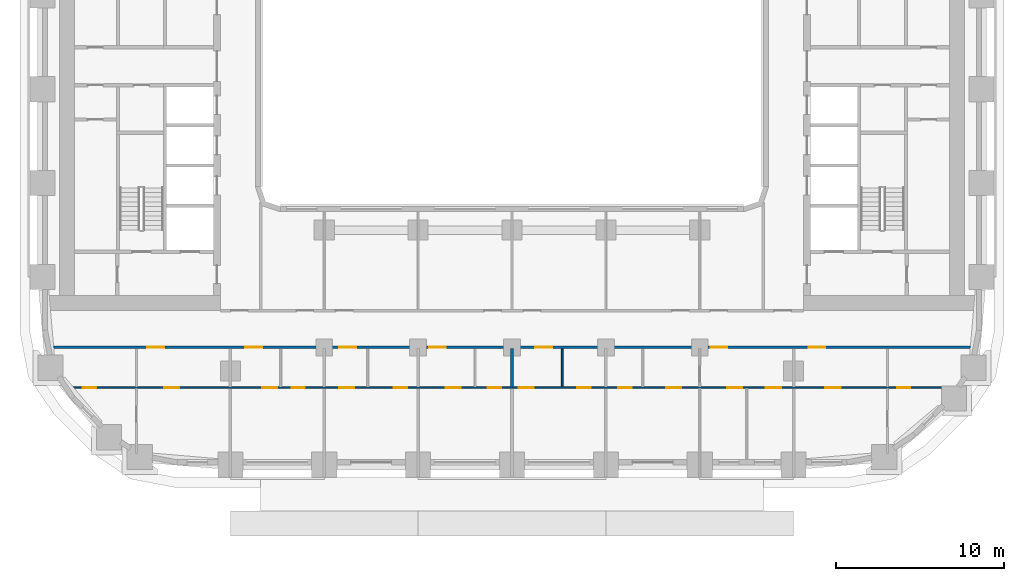
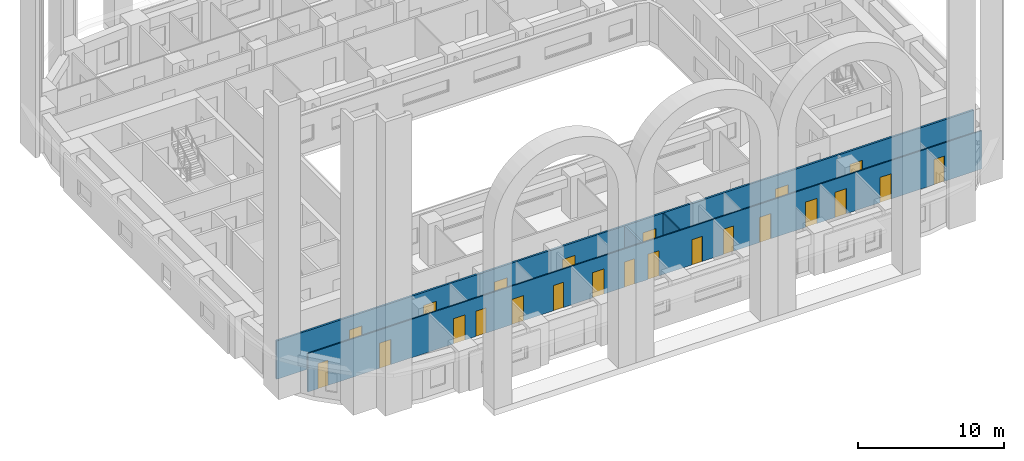
# One storey, part 3 of 21: 23 doors, 4 walls, 23 openings.
"""IFC4 building model written with IfcOpenShell, lengths in metres."""

from ifc_helpers import new_model, si_unit, direction, frame, frame_2d, origin, place, context, subcontext, project, spatial, rectangle, extrude, material, layer, layer_set, type_object, element, fill, save


model = new_model("IFC4")

# Units and contexts
model_context = context("Model", 3, precision=1e-05, world=origin(), true_north=direction((0.0, 1.0)))
body_context = subcontext(model_context, "Body", "Model", "MODEL_VIEW")
ifc_project = project(units=[si_unit("LENGTHUNIT", "METRE"), si_unit("AREAUNIT", "SQUARE_METRE"), si_unit("VOLUMEUNIT", "CUBIC_METRE"), si_unit("PLANEANGLEUNIT", "RADIAN"), si_unit("MASSUNIT", "GRAM", prefix="KILO")], contexts=[model_context])

# Site, building, storey
site_placement = place(None, origin())
site = spatial("IfcSite", under=ifc_project, at=site_placement, CompositionType="ELEMENT")
building_placement = place(site_placement, origin())
building = spatial("IfcBuilding", under=site, at=building_placement, Name="Kiln Ring Residences", CompositionType="ELEMENT")
storey_placement = place(building_placement, frame((0.0, 0.0, 30.5)))
storey = spatial("IfcBuildingStorey", under=building, at=storey_placement, Name="L06", CompositionType="ELEMENT", Elevation=30.5)

# Wall, openings, doors
ifc_material_1 = material(Name="Gypsum board on steel studs", Category="steel")
ifc_layer_1 = layer(ifc_material_1, 0.10009765625)
ifc_layer_set_1 = layer_set([ifc_layer_1], Name="PARTITION-100")
wall_type_1 = type_object("IfcWallType", Name="PARTITION-100", PredefinedType="PARTITIONING", material=ifc_layer_set_1)
wall_1_placement = place(storey_placement, frame((-26.39404296875, -17.800048828125, 0.0), z_axis=(0.0, 0.0, 1.0), x_axis=(1.0, 0.0, 0.0)))
wall_1 = element("IfcWall", 1, at=wall_1_placement, inside=storey, type_object=wall_type_1, Name="Partition 000", PredefinedType="PARTITIONING", context=body_context, shape_type="SweptSolid", body=[
    extrude(rectangle(XDim=53.126220703125, YDim=0.10009765625, at=frame_2d((26.56298828125, 0.0))), origin(), (0.0, 0.0, 1.0), 3.199951171875),
])
opening_1_placement = place(wall_1_placement, frame((0.7939453125, 0.0, 0.0)))
opening_1 = element("IfcOpeningElement", 2, at=opening_1_placement, cuts=wall_1, Name="Opening L06-D044", PredefinedType="OPENING", context=body_context, shape_type="SweptSolid", body=[
    extrude(rectangle(XDim=0.800048828125, YDim=2.10009765625, at=frame_2d((0.39990234375, 1.050048828125))), frame((0.0, 0.06005859375, 0.0), z_axis=(0.0, -1.0, 0.0), x_axis=(1.0, 0.0, 0.0)), (0.0, 0.0, 1.0), 0.1201171875),
])
opening_2_placement = place(wall_1_placement, frame((5.64404296875, 0.0, 0.0)))
opening_2 = element("IfcOpeningElement", 3, at=opening_2_placement, cuts=wall_1, Name="Opening L06-D045", PredefinedType="OPENING", context=body_context, shape_type="SweptSolid", body=[
    extrude(rectangle(XDim=0.89990234375, YDim=2.10009765625, at=frame_2d((0.449951171875, 1.050048828125))), frame((0.0, 0.06005859375, 0.0), z_axis=(0.0, -1.0, 0.0), x_axis=(1.0, 0.0, 0.0)), (0.0, 0.0, 1.0), 0.1201171875),
])
opening_3_placement = place(wall_1_placement, frame((13.243896484375, 0.0, 0.0)))
opening_3 = element("IfcOpeningElement", 4, at=opening_3_placement, cuts=wall_1, Name="Opening L06-D048", PredefinedType="OPENING", context=body_context, shape_type="SweptSolid", body=[
    extrude(rectangle(XDim=0.800048828125, YDim=2.10009765625, at=frame_2d((0.39990234375, 1.050048828125))), frame((0.0, 0.06005859375, 0.0), z_axis=(0.0, -1.0, 0.0), x_axis=(1.0, 0.0, 0.0)), (0.0, 0.0, 1.0), 0.1201171875),
])
opening_4_placement = place(wall_1_placement, frame((11.493896484375, 0.0, 0.0)))
opening_4 = element("IfcOpeningElement", 5, at=opening_4_placement, cuts=wall_1, Name="Opening L06-D049", PredefinedType="OPENING", context=body_context, shape_type="SweptSolid", body=[
    extrude(rectangle(XDim=0.89990234375, YDim=2.10009765625, at=frame_2d((0.449951171875, 1.050048828125))), frame((0.0, 0.06005859375, 0.0), z_axis=(0.0, -1.0, 0.0), x_axis=(1.0, 0.0, 0.0)), (0.0, 0.0, 1.0), 0.1201171875),
])
opening_5_placement = place(wall_1_placement, frame((19.343994140625, 0.0, 0.0)))
opening_5 = element("IfcOpeningElement", 6, at=opening_5_placement, cuts=wall_1, Name="Opening L06-D051", PredefinedType="OPENING", context=body_context, shape_type="SweptSolid", body=[
    extrude(rectangle(XDim=0.800048828125, YDim=2.10009765625, at=frame_2d((0.39990234375, 1.050048828125))), frame((0.0, 0.06005859375, 0.0), z_axis=(0.0, -1.0, 0.0), x_axis=(1.0, 0.0, 0.0)), (0.0, 0.0, 1.0), 0.1201171875),
])
opening_6_placement = place(wall_1_placement, frame((16.093994140625, 0.0, 0.0)))
opening_6 = element("IfcOpeningElement", 7, at=opening_6_placement, cuts=wall_1, Name="Opening L06-D052", PredefinedType="OPENING", context=body_context, shape_type="SweptSolid", body=[
    extrude(rectangle(XDim=0.89990234375, YDim=2.10009765625, at=frame_2d((0.449951171875, 1.050048828125))), frame((0.0, 0.06005859375, 0.0), z_axis=(0.0, -1.0, 0.0), x_axis=(1.0, 0.0, 0.0)), (0.0, 0.0, 1.0), 0.1201171875),
])
opening_7_placement = place(wall_1_placement, frame((24.944091796875, 0.0, 0.0)))
opening_7 = element("IfcOpeningElement", 8, at=opening_7_placement, cuts=wall_1, Name="Opening L06-D054", PredefinedType="OPENING", context=body_context, shape_type="SweptSolid", body=[
    extrude(rectangle(XDim=0.800048828125, YDim=2.10009765625, at=frame_2d((0.39990234375, 1.050048828125))), frame((0.0, 0.06005859375, 0.0), z_axis=(0.0, -1.0, 0.0), x_axis=(1.0, 0.0, 0.0)), (0.0, 0.0, 1.0), 0.1201171875),
])
opening_8_placement = place(wall_1_placement, frame((22.444091796875, 0.0, 0.0)))
opening_8 = element("IfcOpeningElement", 9, at=opening_8_placement, cuts=wall_1, Name="Opening L06-D055", PredefinedType="OPENING", context=body_context, shape_type="SweptSolid", body=[
    extrude(rectangle(XDim=0.89990234375, YDim=2.10009765625, at=frame_2d((0.449951171875, 1.050048828125))), frame((0.0, 0.06005859375, 0.0), z_axis=(0.0, -1.0, 0.0), x_axis=(1.0, 0.0, 0.0)), (0.0, 0.0, 1.0), 0.1201171875),
])
opening_9_placement = place(wall_1_placement, frame((30.2939453125, 0.0, 0.0)))
opening_9 = element("IfcOpeningElement", 10, at=opening_9_placement, cuts=wall_1, Name="Opening L06-D057", PredefinedType="OPENING", context=body_context, shape_type="SweptSolid", body=[
    extrude(rectangle(XDim=0.800048828125, YDim=2.10009765625, at=frame_2d((0.39990234375, 1.050048828125))), frame((0.0, 0.06005859375, 0.0), z_axis=(0.0, -1.0, 0.0), x_axis=(1.0, 0.0, 0.0)), (0.0, 0.0, 1.0), 0.1201171875),
])
opening_10_placement = place(wall_1_placement, frame((26.7939453125, 0.0, 0.0)))
opening_10 = element("IfcOpeningElement", 11, at=opening_10_placement, cuts=wall_1, Name="Opening L06-D058", PredefinedType="OPENING", context=body_context, shape_type="SweptSolid", body=[
    extrude(rectangle(XDim=0.89990234375, YDim=2.10009765625, at=frame_2d((0.449951171875, 1.050048828125))), frame((0.0, 0.06005859375, 0.0), z_axis=(0.0, -1.0, 0.0), x_axis=(1.0, 0.0, 0.0)), (0.0, 0.0, 1.0), 0.1201171875),
])
opening_11_placement = place(wall_1_placement, frame((32.743896484375, 0.0, 0.0)))
opening_11 = element("IfcOpeningElement", 12, at=opening_11_placement, cuts=wall_1, Name="Opening L06-D061", PredefinedType="OPENING", context=body_context, shape_type="SweptSolid", body=[
    extrude(rectangle(XDim=0.800048828125, YDim=2.10009765625, at=frame_2d((0.39990234375, 1.050048828125))), frame((0.0, 0.06005859375, 0.0), z_axis=(0.0, -1.0, 0.0), x_axis=(1.0, 0.0, 0.0)), (0.0, 0.0, 1.0), 0.1201171875),
])
opening_12_placement = place(wall_1_placement, frame((35.593994140625, 0.0, 0.0)))
opening_12 = element("IfcOpeningElement", 13, at=opening_12_placement, cuts=wall_1, Name="Opening L06-D062", PredefinedType="OPENING", context=body_context, shape_type="SweptSolid", body=[
    extrude(rectangle(XDim=0.89990234375, YDim=2.10009765625, at=frame_2d((0.449951171875, 1.050048828125))), frame((0.0, 0.06005859375, 0.0), z_axis=(0.0, -1.0, 0.0), x_axis=(1.0, 0.0, 0.0)), (0.0, 0.0, 1.0), 0.1201171875),
])
opening_13_placement = place(wall_1_placement, frame((39.243896484375, 0.0, 0.0)))
opening_13 = element("IfcOpeningElement", 14, at=opening_13_placement, cuts=wall_1, Name="Opening L06-D063", PredefinedType="OPENING", context=body_context, shape_type="SweptSolid", body=[
    extrude(rectangle(XDim=0.89990234375, YDim=2.10009765625, at=frame_2d((0.449951171875, 1.050048828125))), frame((0.0, 0.06005859375, 0.0), z_axis=(0.0, -1.0, 0.0), x_axis=(1.0, 0.0, 0.0)), (0.0, 0.0, 1.0), 0.1201171875),
])
opening_14_placement = place(wall_1_placement, frame((41.5439453125, 0.0, 0.0)))
opening_14 = element("IfcOpeningElement", 15, at=opening_14_placement, cuts=wall_1, Name="Opening L06-D064", PredefinedType="OPENING", context=body_context, shape_type="SweptSolid", body=[
    extrude(rectangle(XDim=0.89990234375, YDim=2.10009765625, at=frame_2d((0.449951171875, 1.050048828125))), frame((0.0, 0.06005859375, 0.0), z_axis=(0.0, -1.0, 0.0), x_axis=(1.0, 0.0, 0.0)), (0.0, 0.0, 1.0), 0.1201171875),
])
opening_15_placement = place(wall_1_placement, frame((49.362060546875, 0.0, 0.0)))
opening_15 = element("IfcOpeningElement", 16, at=opening_15_placement, cuts=wall_1, Name="Opening L06-D066", PredefinedType="OPENING", context=body_context, shape_type="SweptSolid", body=[
    extrude(rectangle(XDim=0.800048828125, YDim=2.10009765625, at=frame_2d((0.39990234375, 1.050048828125))), frame((0.0, 0.06005859375, 0.0), z_axis=(0.0, -1.0, 0.0), x_axis=(1.0, 0.0, 0.0)), (0.0, 0.0, 1.0), 0.1201171875),
])
opening_16_placement = place(wall_1_placement, frame((45.093994140625, 0.0, 0.0)))
opening_16 = element("IfcOpeningElement", 17, at=opening_16_placement, cuts=wall_1, Name="Opening L06-D067", PredefinedType="OPENING", context=body_context, shape_type="SweptSolid", body=[
    extrude(rectangle(XDim=0.89990234375, YDim=2.10009765625, at=frame_2d((0.449951171875, 1.050048828125))), frame((0.0, 0.06005859375, 0.0), z_axis=(0.0, -1.0, 0.0), x_axis=(1.0, 0.0, 0.0)), (0.0, 0.0, 1.0), 0.1201171875),
])
ifc_material_2 = material(Name="Timber door leaf", Category="wood")
door_type_1 = type_object("IfcDoorType", Name="FLAT-DOOR-800-PL", OperationType="SINGLE_SWING_LEFT", PredefinedType="DOOR", material=ifc_material_2)
door_1_placement = place(opening_1_placement, origin())
door_1 = element("IfcDoor", 18, at=door_1_placement, inside=storey, type_object=door_type_1, Name="Door L06-D044", OperationType="SINGLE_SWING_RIGHT", OverallHeight=2.10009765625, OverallWidth=0.800048828125, PredefinedType="DOOR", context=body_context, shape_type="SweptSolid", body=[
    extrude(rectangle(XDim=0.800048828125, YDim=2.10009765625, at=frame_2d((0.39990234375, 1.050048828125))), frame((0.0, 0.02490234375, 0.0), z_axis=(0.0, -1.0, 0.0), x_axis=(1.0, 0.0, 0.0)), (0.0, 0.0, 1.0), 0.050048828125),
])
fill(opening_1, door_1)
door_2_placement = place(opening_3_placement, origin())
door_2 = element("IfcDoor", 19, at=door_2_placement, inside=storey, type_object=door_type_1, Name="Door L06-D048", OperationType="SINGLE_SWING_RIGHT", OverallHeight=2.10009765625, OverallWidth=0.800048828125, PredefinedType="DOOR", context=body_context, shape_type="SweptSolid", body=[
    extrude(rectangle(XDim=0.800048828125, YDim=2.10009765625, at=frame_2d((0.39990234375, 1.050048828125))), frame((0.0, 0.02490234375, 0.0), z_axis=(0.0, -1.0, 0.0), x_axis=(1.0, 0.0, 0.0)), (0.0, 0.0, 1.0), 0.050048828125),
])
fill(opening_3, door_2)
door_3_placement = place(opening_5_placement, origin())
door_3 = element("IfcDoor", 20, at=door_3_placement, inside=storey, type_object=door_type_1, Name="Door L06-D051", OperationType="SINGLE_SWING_LEFT", OverallHeight=2.10009765625, OverallWidth=0.800048828125, PredefinedType="DOOR", context=body_context, shape_type="SweptSolid", body=[
    extrude(rectangle(XDim=0.800048828125, YDim=2.10009765625, at=frame_2d((0.39990234375, 1.050048828125))), frame((0.0, 0.02490234375, 0.0), z_axis=(0.0, -1.0, 0.0), x_axis=(1.0, 0.0, 0.0)), (0.0, 0.0, 1.0), 0.050048828125),
])
fill(opening_5, door_3)
door_4_placement = place(opening_7_placement, origin())
door_4 = element("IfcDoor", 21, at=door_4_placement, inside=storey, type_object=door_type_1, Name="Door L06-D054", OperationType="SINGLE_SWING_RIGHT", OverallHeight=2.10009765625, OverallWidth=0.800048828125, PredefinedType="DOOR", context=body_context, shape_type="SweptSolid", body=[
    extrude(rectangle(XDim=0.800048828125, YDim=2.10009765625, at=frame_2d((0.39990234375, 1.050048828125))), frame((0.0, 0.02490234375, 0.0), z_axis=(0.0, -1.0, 0.0), x_axis=(1.0, 0.0, 0.0)), (0.0, 0.0, 1.0), 0.050048828125),
])
fill(opening_7, door_4)
door_5_placement = place(opening_9_placement, origin())
door_5 = element("IfcDoor", 22, at=door_5_placement, inside=storey, type_object=door_type_1, Name="Door L06-D057", OperationType="SINGLE_SWING_LEFT", OverallHeight=2.10009765625, OverallWidth=0.800048828125, PredefinedType="DOOR", context=body_context, shape_type="SweptSolid", body=[
    extrude(rectangle(XDim=0.800048828125, YDim=2.10009765625, at=frame_2d((0.39990234375, 1.050048828125))), frame((0.0, 0.02490234375, 0.0), z_axis=(0.0, -1.0, 0.0), x_axis=(1.0, 0.0, 0.0)), (0.0, 0.0, 1.0), 0.050048828125),
])
fill(opening_9, door_5)
door_6_placement = place(opening_11_placement, origin())
door_6 = element("IfcDoor", 23, at=door_6_placement, inside=storey, type_object=door_type_1, Name="Door L06-D061", OperationType="SINGLE_SWING_LEFT", OverallHeight=2.10009765625, OverallWidth=0.800048828125, PredefinedType="DOOR", context=body_context, shape_type="SweptSolid", body=[
    extrude(rectangle(XDim=0.800048828125, YDim=2.10009765625, at=frame_2d((0.39990234375, 1.050048828125))), frame((0.0, 0.02490234375, 0.0), z_axis=(0.0, -1.0, 0.0), x_axis=(1.0, 0.0, 0.0)), (0.0, 0.0, 1.0), 0.050048828125),
])
fill(opening_11, door_6)
door_7_placement = place(opening_15_placement, origin())
door_7 = element("IfcDoor", 24, at=door_7_placement, inside=storey, type_object=door_type_1, Name="Door L06-D066", OperationType="SINGLE_SWING_RIGHT", OverallHeight=2.10009765625, OverallWidth=0.800048828125, PredefinedType="DOOR", context=body_context, shape_type="SweptSolid", body=[
    extrude(rectangle(XDim=0.800048828125, YDim=2.10009765625, at=frame_2d((0.39990234375, 1.050048828125))), frame((0.0, 0.02490234375, 0.0), z_axis=(0.0, -1.0, 0.0), x_axis=(1.0, 0.0, 0.0)), (0.0, 0.0, 1.0), 0.050048828125),
])
fill(opening_15, door_7)
ifc_material_3 = material(Name="Timber door leaf", Category="wood")
door_type_2 = type_object("IfcDoorType", Name="FLAT-DOOR-900-PL", OperationType="SINGLE_SWING_LEFT", PredefinedType="DOOR", material=ifc_material_3)
door_8_placement = place(opening_2_placement, origin())
door_8 = element("IfcDoor", 25, at=door_8_placement, inside=storey, type_object=door_type_2, Name="Door L06-D045", OperationType="SINGLE_SWING_LEFT", OverallHeight=2.10009765625, OverallWidth=0.89990234375, PredefinedType="DOOR", context=body_context, shape_type="SweptSolid", body=[
    extrude(rectangle(XDim=0.89990234375, YDim=2.10009765625, at=frame_2d((0.449951171875, 1.050048828125))), frame((0.0, 0.02490234375, 0.0), z_axis=(0.0, -1.0, 0.0), x_axis=(1.0, 0.0, 0.0)), (0.0, 0.0, 1.0), 0.050048828125),
])
fill(opening_2, door_8)
door_9_placement = place(opening_4_placement, origin())
door_9 = element("IfcDoor", 26, at=door_9_placement, inside=storey, type_object=door_type_2, Name="Door L06-D049", OperationType="SINGLE_SWING_RIGHT", OverallHeight=2.10009765625, OverallWidth=0.89990234375, PredefinedType="DOOR", context=body_context, shape_type="SweptSolid", body=[
    extrude(rectangle(XDim=0.89990234375, YDim=2.10009765625, at=frame_2d((0.449951171875, 1.050048828125))), frame((0.0, 0.02490234375, 0.0), z_axis=(0.0, -1.0, 0.0), x_axis=(1.0, 0.0, 0.0)), (0.0, 0.0, 1.0), 0.050048828125),
])
fill(opening_4, door_9)
door_10_placement = place(opening_6_placement, origin())
door_10 = element("IfcDoor", 27, at=door_10_placement, inside=storey, type_object=door_type_2, Name="Door L06-D052", OperationType="SINGLE_SWING_RIGHT", OverallHeight=2.10009765625, OverallWidth=0.89990234375, PredefinedType="DOOR", context=body_context, shape_type="SweptSolid", body=[
    extrude(rectangle(XDim=0.89990234375, YDim=2.10009765625, at=frame_2d((0.449951171875, 1.050048828125))), frame((0.0, 0.02490234375, 0.0), z_axis=(0.0, -1.0, 0.0), x_axis=(1.0, 0.0, 0.0)), (0.0, 0.0, 1.0), 0.050048828125),
])
fill(opening_6, door_10)
door_11_placement = place(opening_8_placement, origin())
door_11 = element("IfcDoor", 28, at=door_11_placement, inside=storey, type_object=door_type_2, Name="Door L06-D055", OperationType="SINGLE_SWING_RIGHT", OverallHeight=2.10009765625, OverallWidth=0.89990234375, PredefinedType="DOOR", context=body_context, shape_type="SweptSolid", body=[
    extrude(rectangle(XDim=0.89990234375, YDim=2.10009765625, at=frame_2d((0.449951171875, 1.050048828125))), frame((0.0, 0.02490234375, 0.0), z_axis=(0.0, -1.0, 0.0), x_axis=(1.0, 0.0, 0.0)), (0.0, 0.0, 1.0), 0.050048828125),
])
fill(opening_8, door_11)
door_12_placement = place(opening_10_placement, origin())
door_12 = element("IfcDoor", 29, at=door_12_placement, inside=storey, type_object=door_type_2, Name="Door L06-D058", OperationType="SINGLE_SWING_LEFT", OverallHeight=2.10009765625, OverallWidth=0.89990234375, PredefinedType="DOOR", context=body_context, shape_type="SweptSolid", body=[
    extrude(rectangle(XDim=0.89990234375, YDim=2.10009765625, at=frame_2d((0.449951171875, 1.050048828125))), frame((0.0, 0.02490234375, 0.0), z_axis=(0.0, -1.0, 0.0), x_axis=(1.0, 0.0, 0.0)), (0.0, 0.0, 1.0), 0.050048828125),
])
fill(opening_10, door_12)
door_13_placement = place(opening_12_placement, origin())
door_13 = element("IfcDoor", 30, at=door_13_placement, inside=storey, type_object=door_type_2, Name="Door L06-D062", OperationType="SINGLE_SWING_RIGHT", OverallHeight=2.10009765625, OverallWidth=0.89990234375, PredefinedType="DOOR", context=body_context, shape_type="SweptSolid", body=[
    extrude(rectangle(XDim=0.89990234375, YDim=2.10009765625, at=frame_2d((0.449951171875, 1.050048828125))), frame((0.0, 0.02490234375, 0.0), z_axis=(0.0, -1.0, 0.0), x_axis=(1.0, 0.0, 0.0)), (0.0, 0.0, 1.0), 0.050048828125),
])
fill(opening_12, door_13)
door_14_placement = place(opening_13_placement, origin())
door_14 = element("IfcDoor", 31, at=door_14_placement, inside=storey, type_object=door_type_2, Name="Door L06-D063", OperationType="SINGLE_SWING_RIGHT", OverallHeight=2.10009765625, OverallWidth=0.89990234375, PredefinedType="DOOR", context=body_context, shape_type="SweptSolid", body=[
    extrude(rectangle(XDim=0.89990234375, YDim=2.10009765625, at=frame_2d((0.449951171875, 1.050048828125))), frame((0.0, 0.02490234375, 0.0), z_axis=(0.0, -1.0, 0.0), x_axis=(1.0, 0.0, 0.0)), (0.0, 0.0, 1.0), 0.050048828125),
])
fill(opening_13, door_14)
door_15_placement = place(opening_14_placement, origin())
door_15 = element("IfcDoor", 32, at=door_15_placement, inside=storey, type_object=door_type_2, Name="Door L06-D064", OperationType="SINGLE_SWING_RIGHT", OverallHeight=2.10009765625, OverallWidth=0.89990234375, PredefinedType="DOOR", context=body_context, shape_type="SweptSolid", body=[
    extrude(rectangle(XDim=0.89990234375, YDim=2.10009765625, at=frame_2d((0.449951171875, 1.050048828125))), frame((0.0, 0.02490234375, 0.0), z_axis=(0.0, -1.0, 0.0), x_axis=(1.0, 0.0, 0.0)), (0.0, 0.0, 1.0), 0.050048828125),
])
fill(opening_14, door_15)
door_16_placement = place(opening_16_placement, origin())
door_16 = element("IfcDoor", 33, at=door_16_placement, inside=storey, type_object=door_type_2, Name="Door L06-D067", OperationType="SINGLE_SWING_LEFT", OverallHeight=2.10009765625, OverallWidth=0.89990234375, PredefinedType="DOOR", context=body_context, shape_type="SweptSolid", body=[
    extrude(rectangle(XDim=0.89990234375, YDim=2.10009765625, at=frame_2d((0.449951171875, 1.050048828125))), frame((0.0, 0.02490234375, 0.0), z_axis=(0.0, -1.0, 0.0), x_axis=(1.0, 0.0, 0.0)), (0.0, 0.0, 1.0), 0.050048828125),
])
fill(opening_16, door_16)

# Wall
wall_2_placement = place(storey_placement, frame((3.0, -17.75, 0.0), z_axis=(0.0, 0.0, 1.0), x_axis=(0.0, 1.0, 0.0)))
element("IfcWall", 34, at=wall_2_placement, inside=storey, type_object=wall_type_1, Name="Partition 041", PredefinedType="PARTITIONING", context=body_context, shape_type="SweptSolid", body=[
    extrude(rectangle(XDim=2.27490234375, YDim=0.10009765625, at=frame_2d((1.137451171875, 0.0))), origin(), (0.0, 0.0, 1.0), 3.199951171875),
])

# Wall, openings, doors
ifc_material_4 = material(Name="Brick masonry partition", Category="masonry")
ifc_layer_2 = layer(ifc_material_4, 0.14990234375)
ifc_layer_set_2 = layer_set([ifc_layer_2], Name="PARTITION-150-ei60")
wall_type_2 = type_object("IfcWallType", Name="PARTITION-150-ei60", PredefinedType="PARTITIONING", material=ifc_layer_set_2)
wall_3_placement = place(storey_placement, frame((-27.48388671875, -15.39990234375, 0.0), z_axis=(0.0, 0.0, 1.0), x_axis=(1.0, 0.0, 0.0)))
wall_3 = element("IfcWall", 35, at=wall_3_placement, inside=storey, type_object=wall_type_2, Name="Partition 001", PredefinedType="PARTITIONING", context=body_context, shape_type="SweptSolid", body=[
    extrude(rectangle(XDim=54.9677734375, YDim=0.14990234375, at=frame_2d((27.48388671875, 0.0))), origin(), (0.0, 0.0, 1.0), 3.199951171875),
])
opening_17_placement = place(wall_3_placement, frame((5.73388671875, 0.0, 0.0)))
opening_17 = element("IfcOpeningElement", 36, at=opening_17_placement, cuts=wall_3, Name="Opening L06-D043", PredefinedType="OPENING", context=body_context, shape_type="SweptSolid", body=[
    extrude(rectangle(XDim=1.0, YDim=2.10009765625, at=frame_2d((0.5, 1.050048828125))), frame((0.0, 0.0849609375, 0.0), z_axis=(0.0, -1.0, 0.0), x_axis=(1.0, 0.0, 0.0)), (0.0, 0.0, 1.0), 0.169921875),
])
opening_18_placement = place(wall_3_placement, frame((11.583740234375, 0.0, 0.0)))
opening_18 = element("IfcOpeningElement", 37, at=opening_18_placement, cuts=wall_3, Name="Opening L06-D047", PredefinedType="OPENING", context=body_context, shape_type="SweptSolid", body=[
    extrude(rectangle(XDim=1.0, YDim=2.10009765625, at=frame_2d((0.5, 1.050048828125))), frame((0.0, 0.0849609375, 0.0), z_axis=(0.0, -1.0, 0.0), x_axis=(1.0, 0.0, 0.0)), (0.0, 0.0, 1.0), 0.169921875),
])
opening_19_placement = place(wall_3_placement, frame((17.183837890625, 0.0, 0.0)))
opening_19 = element("IfcOpeningElement", 38, at=opening_19_placement, cuts=wall_3, Name="Opening L06-D050", PredefinedType="OPENING", context=body_context, shape_type="SweptSolid", body=[
    extrude(rectangle(XDim=1.0, YDim=2.10009765625, at=frame_2d((0.5, 1.050048828125))), frame((0.0, 0.0849609375, 0.0), z_axis=(0.0, -1.0, 0.0), x_axis=(1.0, 0.0, 0.0)), (0.0, 0.0, 1.0), 0.169921875),
])
opening_20_placement = place(wall_3_placement, frame((22.53369140625, 0.0, 0.0)))
opening_20 = element("IfcOpeningElement", 39, at=opening_20_placement, cuts=wall_3, Name="Opening L06-D053", PredefinedType="OPENING", context=body_context, shape_type="SweptSolid", body=[
    extrude(rectangle(XDim=1.0, YDim=2.10009765625, at=frame_2d((0.5, 1.050048828125))), frame((0.0, 0.0849609375, 0.0), z_axis=(0.0, -1.0, 0.0), x_axis=(1.0, 0.0, 0.0)), (0.0, 0.0, 1.0), 0.169921875),
])
opening_21_placement = place(wall_3_placement, frame((28.8837890625, 0.0, 0.0)))
opening_21 = element("IfcOpeningElement", 40, at=opening_21_placement, cuts=wall_3, Name="Opening L06-D056", PredefinedType="OPENING", context=body_context, shape_type="SweptSolid", body=[
    extrude(rectangle(XDim=1.0, YDim=2.10009765625, at=frame_2d((0.5, 1.050048828125))), frame((0.0, 0.0849609375, 0.0), z_axis=(0.0, -1.0, 0.0), x_axis=(1.0, 0.0, 0.0)), (0.0, 0.0, 1.0), 0.169921875),
])
opening_22_placement = place(wall_3_placement, frame((39.333740234375, 0.0, 0.0)))
opening_22 = element("IfcOpeningElement", 41, at=opening_22_placement, cuts=wall_3, Name="Opening L06-D059", PredefinedType="OPENING", context=body_context, shape_type="SweptSolid", body=[
    extrude(rectangle(XDim=1.0, YDim=2.10009765625, at=frame_2d((0.5, 1.050048828125))), frame((0.0, 0.0849609375, 0.0), z_axis=(0.0, -1.0, 0.0), x_axis=(1.0, 0.0, 0.0)), (0.0, 0.0, 1.0), 0.169921875),
])
opening_23_placement = place(wall_3_placement, frame((45.183837890625, 0.0, 0.0)))
opening_23 = element("IfcOpeningElement", 42, at=opening_23_placement, cuts=wall_3, Name="Opening L06-D065", PredefinedType="OPENING", context=body_context, shape_type="SweptSolid", body=[
    extrude(rectangle(XDim=1.0, YDim=2.10009765625, at=frame_2d((0.5, 1.050048828125))), frame((0.0, 0.0849609375, 0.0), z_axis=(0.0, -1.0, 0.0), x_axis=(1.0, 0.0, 0.0)), (0.0, 0.0, 1.0), 0.169921875),
])
ifc_material_5 = material(Name="Steel faced fire door leaf", Category="steel")
door_type_3 = type_object("IfcDoorType", Name="FLAT-DOOR-1000-FR", OperationType="SINGLE_SWING_LEFT", PredefinedType="DOOR", material=ifc_material_5)
door_17_placement = place(opening_17_placement, origin())
door_17 = element("IfcDoor", 43, at=door_17_placement, inside=storey, type_object=door_type_3, Name="Door L06-D043", OperationType="SINGLE_SWING_LEFT", OverallHeight=2.10009765625, OverallWidth=1.0, PredefinedType="DOOR", context=body_context, shape_type="SweptSolid", body=[
    extrude(rectangle(XDim=1.0, YDim=2.10009765625, at=frame_2d((0.5, 1.050048828125))), frame((0.0, 0.02490234375, 0.0), z_axis=(0.0, -1.0, 0.0), x_axis=(1.0, 0.0, 0.0)), (0.0, 0.0, 1.0), 0.050048828125),
])
fill(opening_17, door_17)
door_18_placement = place(opening_18_placement, origin())
door_18 = element("IfcDoor", 44, at=door_18_placement, inside=storey, type_object=door_type_3, Name="Door L06-D047", OperationType="SINGLE_SWING_LEFT", OverallHeight=2.10009765625, OverallWidth=1.0, PredefinedType="DOOR", context=body_context, shape_type="SweptSolid", body=[
    extrude(rectangle(XDim=1.0, YDim=2.10009765625, at=frame_2d((0.5, 1.050048828125))), frame((0.0, 0.02490234375, 0.0), z_axis=(0.0, -1.0, 0.0), x_axis=(1.0, 0.0, 0.0)), (0.0, 0.0, 1.0), 0.050048828125),
])
fill(opening_18, door_18)
door_19_placement = place(opening_19_placement, origin())
door_19 = element("IfcDoor", 45, at=door_19_placement, inside=storey, type_object=door_type_3, Name="Door L06-D050", OperationType="SINGLE_SWING_RIGHT", OverallHeight=2.10009765625, OverallWidth=1.0, PredefinedType="DOOR", context=body_context, shape_type="SweptSolid", body=[
    extrude(rectangle(XDim=1.0, YDim=2.10009765625, at=frame_2d((0.5, 1.050048828125))), frame((0.0, 0.02490234375, 0.0), z_axis=(0.0, -1.0, 0.0), x_axis=(1.0, 0.0, 0.0)), (0.0, 0.0, 1.0), 0.050048828125),
])
fill(opening_19, door_19)
door_20_placement = place(opening_20_placement, origin())
door_20 = element("IfcDoor", 46, at=door_20_placement, inside=storey, type_object=door_type_3, Name="Door L06-D053", OperationType="SINGLE_SWING_LEFT", OverallHeight=2.10009765625, OverallWidth=1.0, PredefinedType="DOOR", context=body_context, shape_type="SweptSolid", body=[
    extrude(rectangle(XDim=1.0, YDim=2.10009765625, at=frame_2d((0.5, 1.050048828125))), frame((0.0, 0.02490234375, 0.0), z_axis=(0.0, -1.0, 0.0), x_axis=(1.0, 0.0, 0.0)), (0.0, 0.0, 1.0), 0.050048828125),
])
fill(opening_20, door_20)
door_21_placement = place(opening_21_placement, origin())
door_21 = element("IfcDoor", 47, at=door_21_placement, inside=storey, type_object=door_type_3, Name="Door L06-D056", OperationType="SINGLE_SWING_RIGHT", OverallHeight=2.10009765625, OverallWidth=1.0, PredefinedType="DOOR", context=body_context, shape_type="SweptSolid", body=[
    extrude(rectangle(XDim=1.0, YDim=2.10009765625, at=frame_2d((0.5, 1.050048828125))), frame((0.0, 0.02490234375, 0.0), z_axis=(0.0, -1.0, 0.0), x_axis=(1.0, 0.0, 0.0)), (0.0, 0.0, 1.0), 0.050048828125),
])
fill(opening_21, door_21)
door_22_placement = place(opening_22_placement, origin())
door_22 = element("IfcDoor", 48, at=door_22_placement, inside=storey, type_object=door_type_3, Name="Door L06-D059", OperationType="SINGLE_SWING_LEFT", OverallHeight=2.10009765625, OverallWidth=1.0, PredefinedType="DOOR", context=body_context, shape_type="SweptSolid", body=[
    extrude(rectangle(XDim=1.0, YDim=2.10009765625, at=frame_2d((0.5, 1.050048828125))), frame((0.0, 0.02490234375, 0.0), z_axis=(0.0, -1.0, 0.0), x_axis=(1.0, 0.0, 0.0)), (0.0, 0.0, 1.0), 0.050048828125),
])
fill(opening_22, door_22)
door_23_placement = place(opening_23_placement, origin())
door_23 = element("IfcDoor", 49, at=door_23_placement, inside=storey, type_object=door_type_3, Name="Door L06-D065", OperationType="SINGLE_SWING_LEFT", OverallHeight=2.10009765625, OverallWidth=1.0, PredefinedType="DOOR", context=body_context, shape_type="SweptSolid", body=[
    extrude(rectangle(XDim=1.0, YDim=2.10009765625, at=frame_2d((0.5, 1.050048828125))), frame((0.0, 0.02490234375, 0.0), z_axis=(0.0, -1.0, 0.0), x_axis=(1.0, 0.0, 0.0)), (0.0, 0.0, 1.0), 0.050048828125),
])
fill(opening_23, door_23)

# Wall
wall_4_placement = place(storey_placement, frame((0.0, -17.75, 0.0), z_axis=(0.0, 0.0, 1.0), x_axis=(0.0, 1.0, 0.0)))
element("IfcWall", 50, at=wall_4_placement, inside=storey, type_object=wall_type_2, Name="Partition 037", PredefinedType="PARTITIONING", context=body_context, shape_type="SweptSolid", body=[
    extrude(rectangle(XDim=2.27490234375, YDim=0.14990234375, at=frame_2d((1.137451171875, 0.0))), origin(), (0.0, 0.0, 1.0), 3.199951171875),
])

save(model, "model.ifc")
